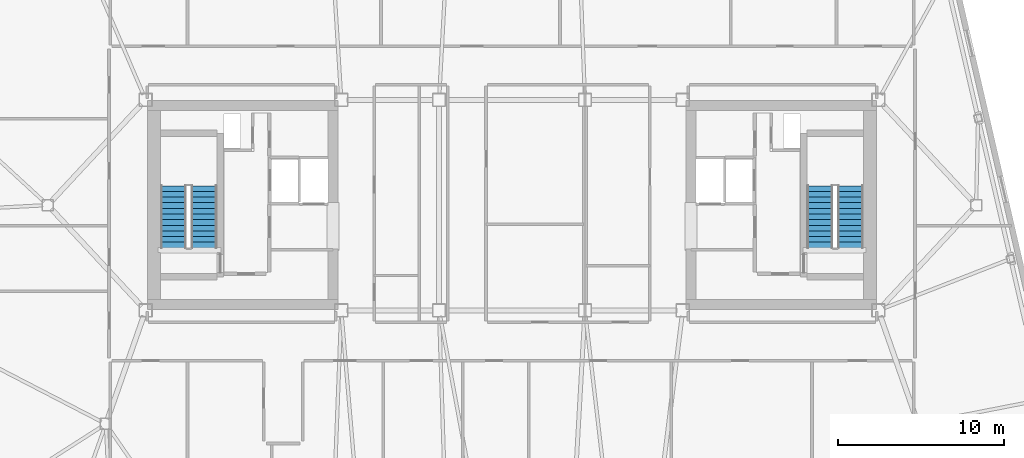
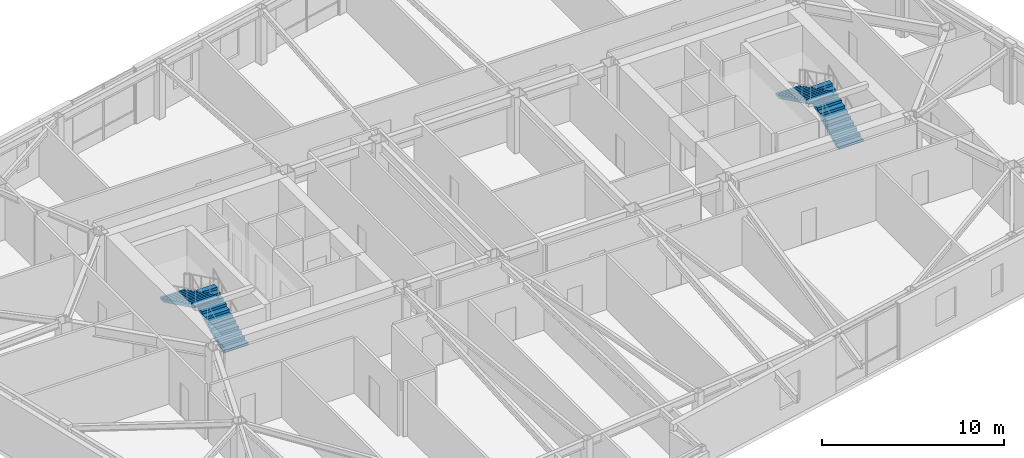
# One storey, part 18 of 21: 4 stair flights, 2 elements without a shape of their own.
"""IFC4 building model written with IfcOpenShell, lengths in metres."""

from ifc_helpers import new_model, si_unit, direction, frame, origin, place, context, subcontext, project, spatial, polyline, outline, extrude, material, type_object, element, aggregate, save


model = new_model("IFC4")

# Units and contexts
model_context = context("Model", 3, precision=1e-05, world=origin(), true_north=direction((0.0, 1.0)))
body_context = subcontext(model_context, "Body", "Model", "MODEL_VIEW")
ifc_project = project(units=[si_unit("LENGTHUNIT", "METRE"), si_unit("AREAUNIT", "SQUARE_METRE"), si_unit("VOLUMEUNIT", "CUBIC_METRE"), si_unit("PLANEANGLEUNIT", "RADIAN"), si_unit("MASSUNIT", "GRAM", prefix="KILO")], contexts=[model_context])

# Site, building, storey
site_placement = place(None, origin())
site = spatial("IfcSite", under=ifc_project, at=site_placement, CompositionType="ELEMENT")
building_placement = place(site_placement, origin())
building = spatial("IfcBuilding", under=site, at=building_placement, Name="Tavrogorsk Clinical Tower", CompositionType="ELEMENT")
storey_placement = place(building_placement, frame((0.0, 0.0, 285.0)))
storey = spatial("IfcBuildingStorey", under=building, at=storey_placement, Name="L66", CompositionType="ELEMENT", Elevation=285.0)

# Stair, stair flights
ifc_material_1 = material(Name="Concrete B60", Category="concrete")
stair_type = type_object("IfcStairType", Name="CoreStairAssembly", PredefinedType="HALF_TURN_STAIR", material=ifc_material_1)
stair_1_placement = place(storey_placement, origin())
stair_1 = element("IfcStair", 1, at=stair_1_placement, inside=storey, type_object=stair_type, Name="L66 ST-W", PredefinedType="HALF_TURN_STAIR")
ifc_material_2 = material(Name="Concrete B60", Category="concrete")
stair_flight_type = type_object("IfcStairFlightType", Name="CoreStairFlight", PredefinedType="STRAIGHT", material=ifc_material_2)
stair_flight_1_placement = place(storey_placement, frame((-18.574951171875, -2.574951171875, 0.0), z_axis=(0.0, 0.0, 1.0), x_axis=(0.0, 1.0, 0.0)))
stair_flight_1 = element("IfcStairFlight", 2, at=stair_flight_1_placement, type_object=stair_flight_type, Name="ST-W flight 1", NumberOfRisers=12, NumberOfTreads=11, PredefinedType="STRAIGHT", RiserHeight=0.166666667, TreadLength=0.34, context=body_context, shape_type="SweptSolid", body=[
    extrude(outline(polyline([(0.0, 0.0), (0.0, 0.166748046875), (0.340087890625, 0.166748046875), (0.340087890625, 0.333251953125), (0.679931640625, 0.333251953125), (0.679931640625, 0.5), (1.02001953125, 0.5), (1.02001953125, 0.666748046875), (1.360107421875, 0.666748046875), (1.360107421875, 0.833251953125), (1.699951171875, 0.833251953125), (1.699951171875, 1.0), (2.0400390625, 1.0), (2.0400390625, 1.166748046875), (2.3798828125, 1.166748046875), (2.3798828125, 1.333251953125), (2.719970703125, 1.333251953125), (2.719970703125, 1.5), (3.06005859375, 1.5), (3.06005859375, 1.666748046875), (3.39990234375, 1.666748046875), (3.39990234375, 1.833251953125), (3.739990234375, 1.833251953125), (3.739990234375, 2.0), (3.739990234375, 1.66650390625), (0.340576171875, 0.0), (0.0, 0.0)])), frame((0.0, 0.77490234375, 0.0), z_axis=(0.0, -1.0, 0.0), x_axis=(1.0, 0.0, 0.0)), (0.0, 0.0, 1.0), 1.550048828125),
])
stair_flight_2_placement = place(storey_placement, frame((-20.425048828125, 1.1650390625, 2.0), z_axis=(0.0, 0.0, 1.0), x_axis=(0.0, -1.0, 0.0)))
stair_flight_2 = element("IfcStairFlight", 3, at=stair_flight_2_placement, type_object=stair_flight_type, Name="ST-W flight 2", NumberOfRisers=12, NumberOfTreads=11, PredefinedType="STRAIGHT", RiserHeight=0.166666667, TreadLength=0.34, context=body_context, shape_type="SweptSolid", body=[
    extrude(outline(polyline([(0.0, 0.0), (0.0, 0.166748046875), (0.340087890625, 0.166748046875), (0.340087890625, 0.333251953125), (0.679931640625, 0.333251953125), (0.679931640625, 0.5), (1.02001953125, 0.5), (1.02001953125, 0.666748046875), (1.360107421875, 0.666748046875), (1.360107421875, 0.833251953125), (1.699951171875, 0.833251953125), (1.699951171875, 1.0), (2.0400390625, 1.0), (2.0400390625, 1.166748046875), (2.3798828125, 1.166748046875), (2.3798828125, 1.333251953125), (2.719970703125, 1.333251953125), (2.719970703125, 1.5), (3.06005859375, 1.5), (3.06005859375, 1.666748046875), (3.39990234375, 1.666748046875), (3.39990234375, 1.833251953125), (3.739990234375, 1.833251953125), (3.739990234375, 2.0), (3.739990234375, 1.66650390625), (0.340576171875, 0.0), (0.0, 0.0)])), frame((0.0, 0.77490234375, 0.0), z_axis=(0.0, -1.0, 0.0), x_axis=(1.0, 0.0, 0.0)), (0.0, 0.0, 1.0), 1.550048828125),
])
aggregate(stair_1, [stair_flight_1, stair_flight_2])

stair_2_placement = place(storey_placement, origin())
stair_2 = element("IfcStair", 4, at=stair_2_placement, inside=storey, type_object=stair_type, Name="L66 ST-E", PredefinedType="HALF_TURN_STAIR")
stair_flight_3_placement = place(storey_placement, frame((20.425048828125, -2.574951171875, 0.0), z_axis=(0.0, 0.0, 1.0), x_axis=(0.0, 1.0, 0.0)))
stair_flight_3 = element("IfcStairFlight", 5, at=stair_flight_3_placement, type_object=stair_flight_type, Name="ST-E flight 1", NumberOfRisers=12, NumberOfTreads=11, PredefinedType="STRAIGHT", RiserHeight=0.166666667, TreadLength=0.34, context=body_context, shape_type="SweptSolid", body=[
    extrude(outline(polyline([(0.0, 0.0), (0.0, 0.166748046875), (0.340087890625, 0.166748046875), (0.340087890625, 0.333251953125), (0.679931640625, 0.333251953125), (0.679931640625, 0.5), (1.02001953125, 0.5), (1.02001953125, 0.666748046875), (1.360107421875, 0.666748046875), (1.360107421875, 0.833251953125), (1.699951171875, 0.833251953125), (1.699951171875, 1.0), (2.0400390625, 1.0), (2.0400390625, 1.166748046875), (2.3798828125, 1.166748046875), (2.3798828125, 1.333251953125), (2.719970703125, 1.333251953125), (2.719970703125, 1.5), (3.06005859375, 1.5), (3.06005859375, 1.666748046875), (3.39990234375, 1.666748046875), (3.39990234375, 1.833251953125), (3.739990234375, 1.833251953125), (3.739990234375, 2.0), (3.739990234375, 1.66650390625), (0.340576171875, 0.0), (0.0, 0.0)])), frame((0.0, 0.77490234375, 0.0), z_axis=(0.0, -1.0, 0.0), x_axis=(1.0, 0.0, 0.0)), (0.0, 0.0, 1.0), 1.550048828125),
])
stair_flight_4_placement = place(storey_placement, frame((18.574951171875, 1.1650390625, 2.0), z_axis=(0.0, 0.0, 1.0), x_axis=(0.0, -1.0, 0.0)))
stair_flight_4 = element("IfcStairFlight", 6, at=stair_flight_4_placement, type_object=stair_flight_type, Name="ST-E flight 2", NumberOfRisers=12, NumberOfTreads=11, PredefinedType="STRAIGHT", RiserHeight=0.166666667, TreadLength=0.34, context=body_context, shape_type="SweptSolid", body=[
    extrude(outline(polyline([(0.0, 0.0), (0.0, 0.166748046875), (0.340087890625, 0.166748046875), (0.340087890625, 0.333251953125), (0.679931640625, 0.333251953125), (0.679931640625, 0.5), (1.02001953125, 0.5), (1.02001953125, 0.666748046875), (1.360107421875, 0.666748046875), (1.360107421875, 0.833251953125), (1.699951171875, 0.833251953125), (1.699951171875, 1.0), (2.0400390625, 1.0), (2.0400390625, 1.166748046875), (2.3798828125, 1.166748046875), (2.3798828125, 1.333251953125), (2.719970703125, 1.333251953125), (2.719970703125, 1.5), (3.06005859375, 1.5), (3.06005859375, 1.666748046875), (3.39990234375, 1.666748046875), (3.39990234375, 1.833251953125), (3.739990234375, 1.833251953125), (3.739990234375, 2.0), (3.739990234375, 1.66650390625), (0.340576171875, 0.0), (0.0, 0.0)])), frame((0.0, 0.77490234375, 0.0), z_axis=(0.0, -1.0, 0.0), x_axis=(1.0, 0.0, 0.0)), (0.0, 0.0, 1.0), 1.550048828125),
])
aggregate(stair_2, [stair_flight_3, stair_flight_4])

save(model, "model.ifc")
